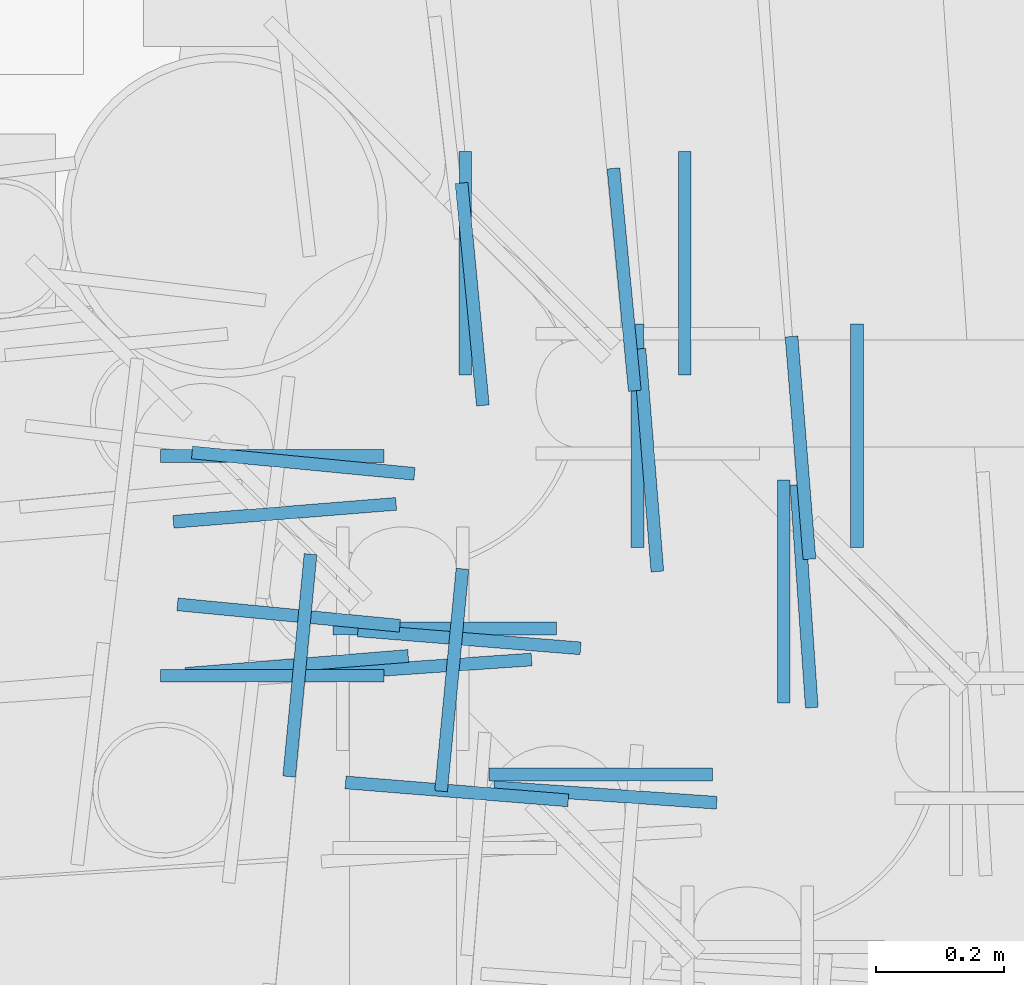
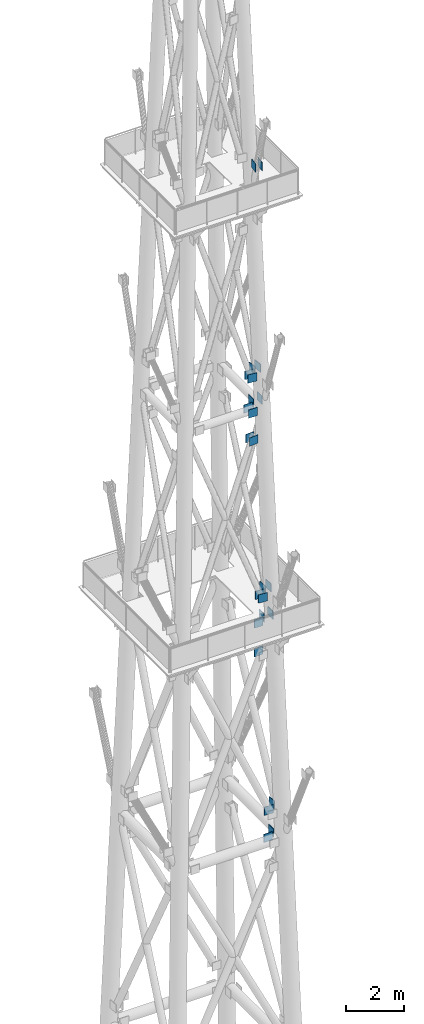
# One storey, part 11 of 25: 24 discrete accessories.
"""IFC4 building model written with IfcOpenShell, lengths in metres."""

from ifc_helpers import new_model, si_unit, direction, frame, origin, origin_2d, place, context, subcontext, project, spatial, rectangle, extrude, element, save


model = new_model("IFC4")

# Units and contexts
model_context = context("Model", 3, precision=1e-05, world=origin(), true_north=direction((0.0, 1.0)))
body_context = subcontext(model_context, "Body", "Model", "MODEL_VIEW")
ifc_project = project(units=[si_unit("LENGTHUNIT", "METRE"), si_unit("AREAUNIT", "SQUARE_METRE"), si_unit("VOLUMEUNIT", "CUBIC_METRE"), si_unit("PLANEANGLEUNIT", "RADIAN"), si_unit("MASSUNIT", "GRAM", prefix="KILO")], contexts=[model_context])

# Site, building, storey
site_placement = place(None, origin())
site = spatial("IfcSite", under=ifc_project, at=site_placement, CompositionType="ELEMENT")
building_placement = place(site_placement, origin())
building = spatial("IfcBuilding", under=site, at=building_placement, Name="Vidyagriha Tower", CompositionType="ELEMENT")
storey_placement = place(building_placement, frame((0.0, 0.0, 318.39990234375)))
storey = spatial("IfcBuildingStorey", under=building, at=storey_placement, Name="RF", CompositionType="ELEMENT", Elevation=318.39990234375)

# Discrete accessories
discrete_accessory_1_placement = place(storey_placement, frame((1.580078125, 11.133056640625, 13.824951171875)))
element("IfcDiscreteAccessory", 1, at=discrete_accessory_1_placement, inside=storey, Name="End plate ASTM A572 Grade 50 20mm", ObjectType="END PLATE", PredefinedType="USERDEFINED", context=body_context, shape_type="SweptSolid", body=[
    extrude(rectangle(XDim=0.35009765625, YDim=0.02001953125, at=origin_2d()), origin(), (0.0, 0.0, 1.0), 0.35009765625),
])
discrete_accessory_2_placement = place(storey_placement, frame((1.866943359375, 11.419921875, 13.824951171875), z_axis=(0.0, 0.0, 1.0), x_axis=(0.0, -1.0, 0.0)))
element("IfcDiscreteAccessory", 2, at=discrete_accessory_2_placement, inside=storey, Name="End plate ASTM A572 Grade 50 20mm", ObjectType="END PLATE", PredefinedType="USERDEFINED", context=body_context, shape_type="SweptSolid", body=[
    extrude(rectangle(XDim=0.35009765625, YDim=0.02001953125, at=origin_2d()), origin(), (0.0, 0.0, 1.0), 0.35009765625),
])
discrete_accessory_3_placement = place(storey_placement, frame((1.335693359375, 11.362060546875, 22.824951171875)))
element("IfcDiscreteAccessory", 3, at=discrete_accessory_3_placement, inside=storey, Name="End plate ASTM A572 Grade 50 20mm", ObjectType="END PLATE", PredefinedType="USERDEFINED", context=body_context, shape_type="SweptSolid", body=[
    extrude(rectangle(XDim=0.35009765625, YDim=0.02001953125, at=origin_2d()), origin(), (0.0, 0.0, 1.0), 0.35009765625),
])
for number, where, z_axis, x_axis, name in (
    (4, (1.98193359375, 11.664306640625, 22.824951171875), (0.0, 0.0, 1.0), (0.0, -1.0, 0.0), "End plate ASTM A572 Grade 50 20mm"),
    (5, (1.637939453125, 11.664306640625, 22.824951171875), (0.0, 0.0, 1.0), (0.0, -1.0, 0.0), "End plate ASTM A572 Grade 50 20mm"),
):
    element("IfcDiscreteAccessory", number, at=place(storey_placement, frame(where, z_axis=z_axis, x_axis=x_axis)), inside=storey, Name=name, ObjectType="END PLATE", PredefinedType="USERDEFINED", context=body_context, shape_type="SweptSolid", body=[
        extrude(rectangle(XDim=0.35009765625, YDim=0.02001953125, at=origin_2d()), origin(), (0.0, 0.0, 1.0), 0.35009765625),
    ])
for number, where, name in (
    (6, (1.065673828125, 11.632080078125, 31.824951171875), "End plate ASTM A572 Grade 50 20mm"),
    (7, (1.065673828125, 11.2880859375, 31.824951171875), "End plate ASTM A572 Grade 50 20mm"),
):
    element("IfcDiscreteAccessory", number, at=place(storey_placement, frame(where)), inside=storey, Name=name, ObjectType="END PLATE", PredefinedType="USERDEFINED", context=body_context, shape_type="SweptSolid", body=[
        extrude(rectangle(XDim=0.35009765625, YDim=0.02001953125, at=origin_2d()), origin(), (0.0, 0.0, 1.0), 0.35009765625),
    ])
for number, where, z_axis, x_axis, name in (
    (8, (1.7119140625, 11.934326171875, 31.824951171875), (0.0, 0.0, 1.0), (0.0, -1.0, 0.0), "End plate ASTM A572 Grade 50 20mm"),
    (9, (1.367919921875, 11.934326171875, 31.824951171875), (0.0, 0.0, 1.0), (0.0, -1.0, 0.0), "End plate ASTM A572 Grade 50 20mm"),
    (10, (1.29736328125, 11.30126953125, 21.662109375), (0.0, 0.0, 1.0), (0.997601404512, 0.069220211754, 0.0), "End plate ASTM A572 Grade 50 20mm"),
    (11, (1.58740234375, 11.10107421875, 14.988037109375), (0.0, 0.0, 1.0), (0.997599712846, -0.069244587734, 0.0), "End plate ASTM A572 Grade 50 20mm"),
    (12, (1.89892578125, 11.41259765625, 14.988037109375), (0.0, 0.0, 1.0), (0.069220211754, -0.997601404512, 0.0), "End plate ASTM A572 Grade 50 20mm"),
    (13, (1.085205078125, 11.543212890625, 30.628662109375), (0.0, 0.0, 1.0), (0.996769493415, 0.080315484172, 0.0), "End plate ASTM A572 Grade 50 20mm"),
    (14, (1.104248046875, 11.304931640625, 30.628662109375), (0.0, 0.0, 1.0), (0.996769493415, 0.080315484172, 0.0), "End plate ASTM A572 Grade 50 20mm"),
    (15, (1.374267578125, 11.344970703125, 24.021240234375), (0.0, 0.0, 1.0), (0.99676753064, -0.080339839821, 0.0), "End plate ASTM A572 Grade 50 20mm"),
    (16, (1.35498046875, 11.106689453125, 24.021240234375), (0.0, 0.0, 1.0), (0.99676753064, -0.080339839821, 0.0), "End plate ASTM A572 Grade 50 20mm"),
    (17, (1.893310546875, 11.64501953125, 24.021240234375), (0.0, 0.0, 1.0), (0.080315484172, -0.996769493415, 0.0), "End plate ASTM A572 Grade 50 20mm"),
    (18, (1.655029296875, 11.625732421875, 24.021240234375), (0.0, 0.0, 1.0), (0.080315484172, -0.996769493415, 0.0), "End plate ASTM A572 Grade 50 20mm"),
    (19, (1.1142578125, 11.62109375, 33.2255859375), (0.0, 0.0, 1.0), (0.995415248857, -0.095647699097, 0.0), "End plate ASTM A572 Grade 50 20mm"),
    (20, (1.09130859375, 11.383056640625, 33.2255859375), (0.0, 0.0, 1.0), (0.995415248857, -0.095647699097, 0.0), "End plate ASTM A572 Grade 50 20mm"),
    (21, (1.616943359375, 11.90869140625, 33.2255859375), (0.0, 0.0, 1.0), (0.095647699097, -0.995415248857, 0.0), "End plate ASTM A572 Grade 50 20mm"),
    (22, (1.37890625, 11.8857421875, 33.2255859375), (0.0, 0.0, 1.0), (0.095647699097, -0.995415248857, 0.0), "End plate ASTM A572 Grade 50 20mm"),
    (23, (1.10888671875, 11.30419921875, 42.2255859375), (0.0, 0.0, 1.0), (0.095661597706, 0.995413913266, 0.0), "End plate ASTM A572 Grade 50 20mm"),
    (24, (1.346923828125, 11.28125, 42.2255859375), (0.0, 0.0, 1.0), (0.095661597706, 0.995413913266, 0.0), "End plate ASTM A572 Grade 50 20mm"),
):
    element("IfcDiscreteAccessory", number, at=place(storey_placement, frame(where, z_axis=z_axis, x_axis=x_axis)), inside=storey, Name=name, ObjectType="END PLATE", PredefinedType="USERDEFINED", context=body_context, shape_type="SweptSolid", body=[
        extrude(rectangle(XDim=0.35009765625, YDim=0.02001953125, at=origin_2d()), origin(), (0.0, 0.0, 1.0), 0.35009765625),
    ])

save(model, "model.ifc")
